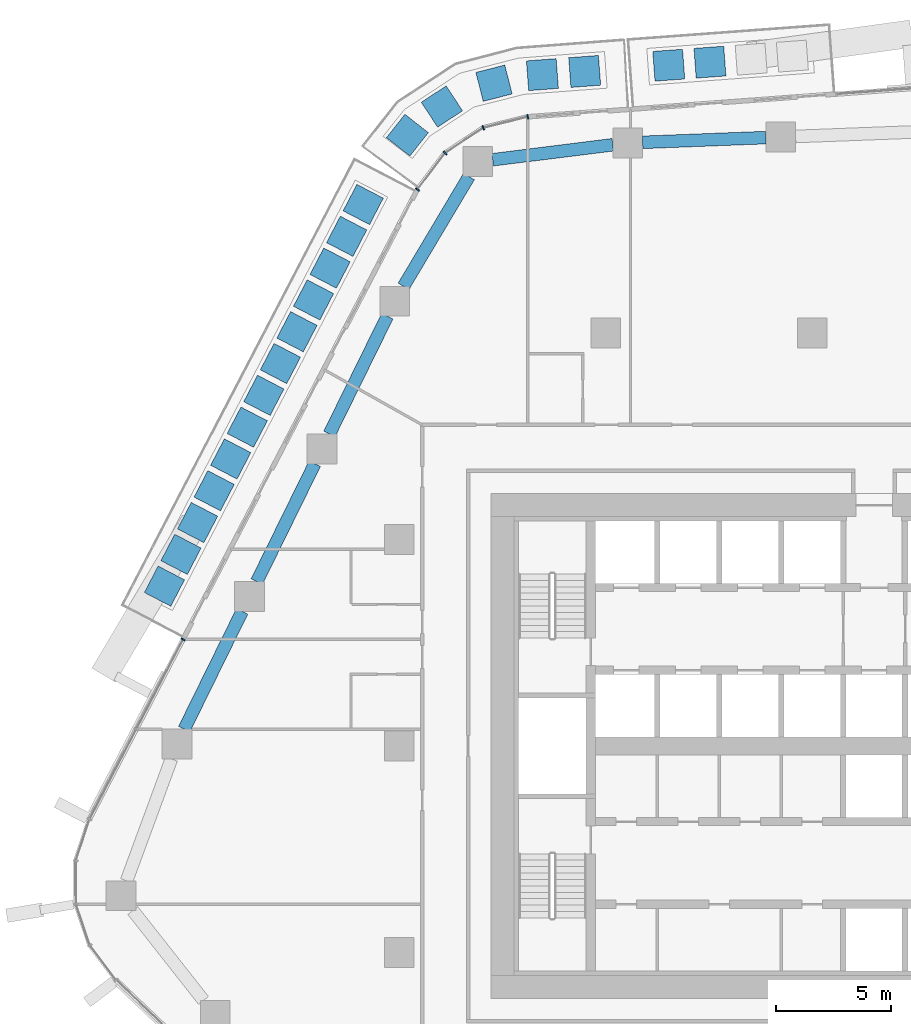
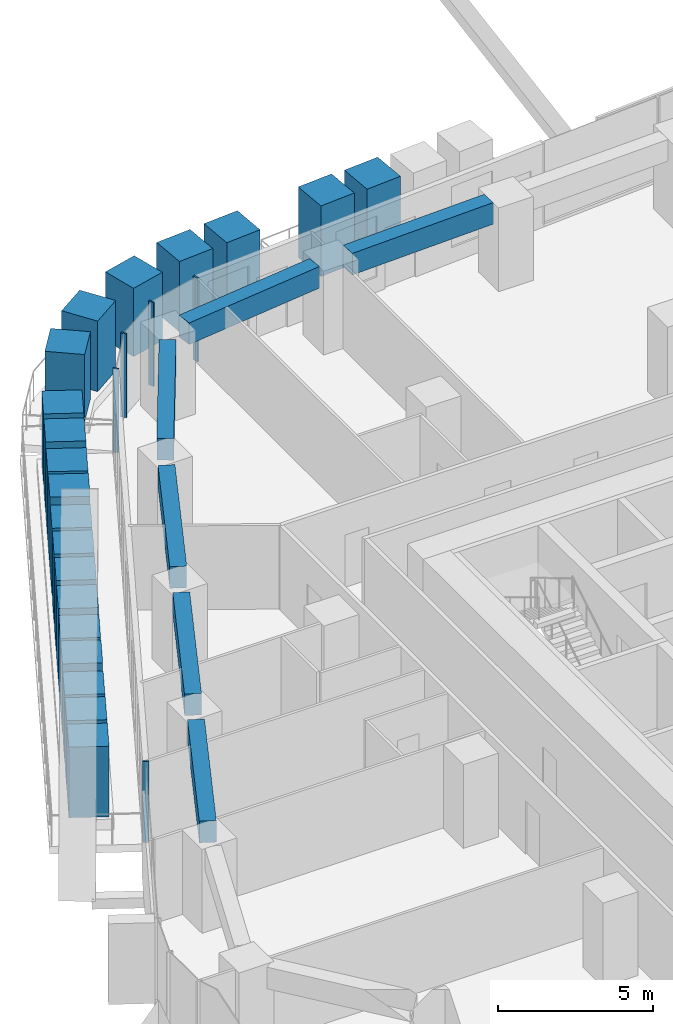
# One storey, part 6 of 24: 25 members, 6 beams, 2 elements without a shape of their own.
"""IFC4 building model written with IfcOpenShell, lengths in metres."""

from ifc_helpers import new_model, si_unit, direction, frame, origin, origin_2d, place, context, subcontext, project, spatial, rectangle, extrude, material, layer, layer_set, material_profile, profile_set, type_object, element, aggregate, save


model = new_model("IFC4")

# Units and contexts
model_context = context("Model", 3, precision=1e-05, world=origin(), true_north=direction((0.0, 1.0)))
body_context = subcontext(model_context, "Body", "Model", "MODEL_VIEW")
ifc_project = project(units=[si_unit("LENGTHUNIT", "METRE"), si_unit("AREAUNIT", "SQUARE_METRE"), si_unit("VOLUMEUNIT", "CUBIC_METRE"), si_unit("PLANEANGLEUNIT", "RADIAN"), si_unit("MASSUNIT", "GRAM", prefix="KILO")], contexts=[model_context])

# Site, building, storey
site_placement = place(None, origin())
site = spatial("IfcSite", under=ifc_project, at=site_placement, CompositionType="ELEMENT")
building_placement = place(site_placement, origin())
building = spatial("IfcBuilding", under=site, at=building_placement, Name="Dongbaek Canopy Tower", CompositionType="ELEMENT")
storey_placement = place(building_placement, frame((0.0, 0.0, 128.5)))
storey = spatial("IfcBuildingStorey", under=building, at=storey_placement, Name="L28", CompositionType="ELEMENT", Elevation=128.5)

# Curtain wall, members
ifc_material_1 = material(Name="Aluminium 6063-T6 pale anodised", Category="aluminium")
ifc_layer = layer(ifc_material_1, 0.199951171875)
ifc_layer_set = layer_set([ifc_layer], Name="CW-1 unitised tower curtain wall")
curtain_wall_type = type_object("IfcCurtainWallType", Name="CW-1 unitised tower curtain wall", PredefinedType="NOTDEFINED", material=ifc_layer_set)
curtain_wall_1_placement = place(storey_placement, origin())
curtain_wall_1 = element("IfcCurtainWall", 1, at=curtain_wall_1_placement, inside=storey, type_object=curtain_wall_type, Name="CW-1 curtain wall K2.1", PredefinedType="NOTDEFINED")
ifc_material_2 = material(Name="Aluminium 6063-T6 pale anodised", Category="aluminium")
ifc_material_profile_1 = material_profile(ifc_material_2, rectangle(XDim=0.199951171875, YDim=0.06005859375, at=origin_2d()), Name="CW-1 mullion 60 x 200")
ifc_profile_set_1 = profile_set([ifc_material_profile_1], Name="Aluminium 6063-T6 pale anodised")
member_type_1 = type_object("IfcMemberType", Name="CW-1 mullion 60 x 200", PredefinedType="MULLION", material=ifc_profile_set_1)
member_1_placement = place(storey_placement, frame((-12.398681640625, 27.426513671875, 0.0), z_axis=(0.0, 0.0, 1.0), x_axis=(-0.240708808634, 0.970597377622, 0.0)))
member_1 = element("IfcMember", 2, at=member_1_placement, type_object=member_type_1, Name="CW-1 mullion K2.1.1", PredefinedType="MULLION", context=body_context, shape_type="SweptSolid", body=[
    extrude(rectangle(XDim=0.199951171875, YDim=0.06005859375, at=origin_2d()), origin(), (0.0, 0.0, 1.0), 3.300048828125),
])
member_2_placement = place(storey_placement, frame((-14.338623046875, 26.945556640625, 0.0), z_axis=(0.0, 0.0, 1.0), x_axis=(-0.400998527183, 0.916078698146, 0.0)))
member_2 = element("IfcMember", 3, at=member_2_placement, type_object=member_type_1, Name="CW-1 mullion K2.1.2", PredefinedType="MULLION", context=body_context, shape_type="SweptSolid", body=[
    extrude(rectangle(XDim=0.199951171875, YDim=0.06005859375, at=origin_2d()), origin(), (0.0, 0.0, 1.0), 3.300048828125),
])
member_3_placement = place(storey_placement, frame((-16.0009765625, 25.851318359375, 0.0), z_axis=(0.0, 0.0, 1.0), x_axis=(-0.682828776923, 0.730578443021, 0.0)))
member_3 = element("IfcMember", 4, at=member_3_placement, type_object=member_type_1, Name="CW-1 mullion K2.1.3", PredefinedType="MULLION", context=body_context, shape_type="SweptSolid", body=[
    extrude(rectangle(XDim=0.199951171875, YDim=0.06005859375, at=origin_2d()), origin(), (0.0, 0.0, 1.0), 3.300048828125),
])
member_4_placement = place(storey_placement, frame((-17.210205078125, 24.259765625, 0.0), z_axis=(0.0, 0.0, 1.0), x_axis=(-0.796290621364, 0.604914247086, 0.0)))
member_4 = element("IfcMember", 5, at=member_4_placement, type_object=member_type_1, Name="CW-1 mullion K2.1.4", PredefinedType="MULLION", context=body_context, shape_type="SweptSolid", body=[
    extrude(rectangle(XDim=0.199951171875, YDim=0.06005859375, at=origin_2d()), origin(), (0.0, 0.0, 1.0), 3.300048828125),
])
aggregate(curtain_wall_1, [member_1, member_2, member_3, member_4])

# Curtain wall, member
curtain_wall_2_placement = place(storey_placement, origin())
curtain_wall_2 = element("IfcCurtainWall", 6, at=curtain_wall_2_placement, inside=storey, type_object=curtain_wall_type, Name="CW-1 curtain wall F2.1", PredefinedType="NOTDEFINED")
member_5_placement = place(storey_placement, frame((-27.42431640625, 4.64697265625, 0.1201171875), z_axis=(0.0, 0.0, 1.0), x_axis=(-0.886926731215, 0.461910135693, 0.0)))
member_5 = element("IfcMember", 7, at=member_5_placement, type_object=member_type_1, Name="CW-1 mullion F2.1.1", PredefinedType="MULLION", context=body_context, shape_type="SweptSolid", body=[
    extrude(rectangle(XDim=0.199951171875, YDim=0.06005859375, at=origin_2d()), origin(), (0.0, 0.0, 1.0), 3.179931640625),
])
aggregate(curtain_wall_2, [member_5])

# Beams
ifc_material_3 = material(Name="Concrete C80", Category="concrete")
ifc_material_profile_2 = material_profile(ifc_material_3, rectangle(XDim=0.550048828125, YDim=0.85009765625, at=origin_2d()), Name="RC EDGE BEAM 550x850 C80")
ifc_profile_set_2 = profile_set([ifc_material_profile_2], Name="Concrete C80")
beam_type = type_object("IfcBeamType", Name="RC EDGE BEAM 550x850 C80", PredefinedType="BEAM", material=ifc_profile_set_2)
beam_1_placement = place(storey_placement, frame((-27.373291015625, 0.73291015625, 2.875), z_axis=(0.441213203353, 0.89740231178, 0.0), x_axis=(-0.89740231178, 0.441213203353, 0.0)))
element("IfcBeam", 8, at=beam_1_placement, inside=storey, type_object=beam_type, Name="EDGEBEAM:L28:09", PredefinedType="BEAM", context=body_context, shape_type="SweptSolid", body=[
    extrude(rectangle(XDim=0.550048828125, YDim=0.85009765625, at=origin_2d()), origin(), (0.0, 0.0, 1.0), 5.72216796875),
])
beam_2_placement = place(storey_placement, frame((-24.209228515625, 7.16796875, 2.875), z_axis=(0.441418224378, 0.897301482885, 0.0), x_axis=(-0.897301482885, 0.441418224378, 0.0)))
element("IfcBeam", 9, at=beam_2_placement, inside=storey, type_object=beam_type, Name="EDGEBEAM:L28:10", PredefinedType="BEAM", context=body_context, shape_type="SweptSolid", body=[
    extrude(rectangle(XDim=0.550048828125, YDim=0.85009765625, at=origin_2d()), origin(), (0.0, 0.0, 1.0), 5.7216796875),
])
beam_3_placement = place(storey_placement, frame((-21.044189453125, 13.60205078125, 2.875), z_axis=(0.441383867887, 0.89731838339, 0.0), x_axis=(-0.89731838339, 0.441383867887, 0.0)))
element("IfcBeam", 10, at=beam_3_placement, inside=storey, type_object=beam_type, Name="EDGEBEAM:L28:11", PredefinedType="BEAM", context=body_context, shape_type="SweptSolid", body=[
    extrude(rectangle(XDim=0.550048828125, YDim=0.85009765625, at=origin_2d()), origin(), (0.0, 0.0, 1.0), 5.721435546875),
])
beam_4_placement = place(storey_placement, frame((-17.81201171875, 20.035888671875, 2.875), z_axis=(0.511514682827, 0.859274536602, 0.0), x_axis=(-0.859274536602, 0.511514682827, 0.0)))
element("IfcBeam", 11, at=beam_4_placement, inside=storey, type_object=beam_type, Name="EDGEBEAM:L28:12", PredefinedType="BEAM", context=body_context, shape_type="SweptSolid", body=[
    extrude(rectangle(XDim=0.550048828125, YDim=0.85009765625, at=origin_2d()), origin(), (0.0, 0.0, 1.0), 5.570068359375),
])
beam_5_placement = place(storey_placement, frame((-13.926025390625, 25.55322265625, 2.875), z_axis=(0.992297087152, 0.123880954265, 0.0), x_axis=(-0.123880954265, 0.992297087152, 0.0)))
element("IfcBeam", 12, at=beam_5_placement, inside=storey, type_object=beam_type, Name="EDGEBEAM:L28:13", PredefinedType="BEAM", context=body_context, shape_type="SweptSolid", body=[
    extrude(rectangle(XDim=0.550048828125, YDim=0.85009765625, at=origin_2d()), origin(), (0.0, 0.0, 1.0), 5.275634765625),
])
beam_6_placement = place(storey_placement, frame((-7.39111328125, 26.31298828125, 2.875), z_axis=(0.999264392696, 0.038349361015, 0.0), x_axis=(-0.038349361015, 0.999264392696, 0.0)))
element("IfcBeam", 13, at=beam_6_placement, inside=storey, type_object=beam_type, Name="EDGEBEAM:L28:14", PredefinedType="BEAM", context=body_context, shape_type="SweptSolid", body=[
    extrude(rectangle(XDim=0.550048828125, YDim=0.85009765625, at=origin_2d()), origin(), (0.0, 0.0, 1.0), 5.373046875),
])

# Members
ifc_material_4 = material(Name="Concrete C40/50 planter mass with planting", Category="concrete")
ifc_material_profile_3 = material_profile(ifc_material_4, rectangle(XDim=1.300048828125, YDim=1.300048828125, at=origin_2d()), Name="Terrace PLANTER shrub mass 1300 x 1300")
ifc_profile_set_3 = profile_set([ifc_material_profile_3], Name="Concrete C40/50 planter mass with planting")
member_type_2 = type_object("IfcMemberType", Name="Terrace PLANTER shrub mass 1300 x 1300", PredefinedType="USERDEFINED", material=ifc_profile_set_3)
member_6_placement = place(storey_placement, frame((-4.455810546875, 29.806884765625, 0.419921875), z_axis=(0.0, 0.0, 1.0), x_axis=(-0.073519152761, 0.997293805344, 0.0)))
element("IfcMember", 14, at=member_6_placement, inside=storey, type_object=member_type_2, Name="Planter shrubs L28 1.3", ObjectType="PLANTER", PredefinedType="USERDEFINED", context=body_context, shape_type="SweptSolid", body=[
    extrude(rectangle(XDim=1.300048828125, YDim=1.300048828125, at=origin_2d()), origin(), (0.0, 0.0, 1.0), 2.72998046875),
])
for number, where, z_axis, x_axis, name in (
    (15, (-6.252197265625, 29.674560546875, 0.419921875), (0.0, 0.0, 1.0), (-0.073519152761, 0.997293805344, 0.0), "Planter shrubs L28 1.4"),
    (16, (-9.916748046875, 29.40283203125, 0.419921875), (0.0, 0.0, 1.0), (-0.075155999946, 0.997171788446, 0.0), "Planter shrubs L28 6.1"),
):
    element("IfcMember", number, at=place(storey_placement, frame(where, z_axis=z_axis, x_axis=x_axis)), inside=storey, type_object=member_type_2, Name=name, ObjectType="PLANTER", PredefinedType="USERDEFINED", context=body_context, shape_type="SweptSolid", body=[
        extrude(rectangle(XDim=1.300048828125, YDim=1.300048828125, at=origin_2d()), origin(), (0.0, 0.0, 1.0), 2.780029296875),
    ])
member_7_placement = place(storey_placement, frame((-11.759521484375, 29.263916015625, 0.419921875), z_axis=(0.0, 0.0, 1.0), x_axis=(-0.075155999946, 0.997171788446, 0.0)))
element("IfcMember", 17, at=member_7_placement, inside=storey, type_object=member_type_2, Name="Planter shrubs L28 6.2", ObjectType="PLANTER", PredefinedType="USERDEFINED", context=body_context, shape_type="SweptSolid", body=[
    extrude(rectangle(XDim=1.300048828125, YDim=1.300048828125, at=origin_2d()), origin(), (0.0, 0.0, 1.0), 2.77001953125),
])
member_8_placement = place(storey_placement, frame((-13.868896484375, 28.890625, 0.419921875), z_axis=(0.0, 0.0, 1.0), x_axis=(-0.247887054408, 0.968788938963, 0.0)))
element("IfcMember", 18, at=member_8_placement, inside=storey, type_object=member_type_2, Name="Planter shrubs L28 6.3", ObjectType="PLANTER", PredefinedType="USERDEFINED", context=body_context, shape_type="SweptSolid", body=[
    extrude(rectangle(XDim=1.300048828125, YDim=1.300048828125, at=origin_2d()), origin(), (0.0, 0.0, 1.0), 2.690185546875),
])
member_9_placement = place(storey_placement, frame((-16.140625, 27.873291015625, 0.419921875), z_axis=(0.0, 0.0, 1.0), x_axis=(-0.549793590756, 0.835300549242, 0.0)))
element("IfcMember", 19, at=member_9_placement, inside=storey, type_object=member_type_2, Name="Planter shrubs L28 6.4", ObjectType="PLANTER", PredefinedType="USERDEFINED", context=body_context, shape_type="SweptSolid", body=[
    extrude(rectangle(XDim=1.300048828125, YDim=1.300048828125, at=origin_2d()), origin(), (0.0, 0.0, 1.0), 2.780029296875),
])
member_10_placement = place(storey_placement, frame((-17.64501953125, 26.626220703125, 0.419921875), z_axis=(0.0, 0.0, 1.0), x_axis=(-0.785388328656, 0.619003370921, 0.0)))
element("IfcMember", 20, at=member_10_placement, inside=storey, type_object=member_type_2, Name="Planter shrubs L28 6.5", ObjectType="PLANTER", PredefinedType="USERDEFINED", context=body_context, shape_type="SweptSolid", body=[
    extrude(rectangle(XDim=1.300048828125, YDim=1.300048828125, at=origin_2d()), origin(), (0.0, 0.0, 1.0), 2.650146484375),
])
member_11_placement = place(storey_placement, frame((-19.570556640625, 23.6025390625, 0.419921875), z_axis=(0.0, 0.0, 1.0), x_axis=(-0.886926731215, 0.461910135693, 0.0)))
element("IfcMember", 21, at=member_11_placement, inside=storey, type_object=member_type_2, Name="Planter shrubs L28 2.1", ObjectType="PLANTER", PredefinedType="USERDEFINED", context=body_context, shape_type="SweptSolid", body=[
    extrude(rectangle(XDim=1.300048828125, YDim=1.300048828125, at=origin_2d()), origin(), (0.0, 0.0, 1.0), 2.780029296875),
])
member_12_placement = place(storey_placement, frame((-20.292724609375, 22.216064453125, 0.419921875), z_axis=(0.0, 0.0, 1.0), x_axis=(-0.886926731215, 0.461910135693, 0.0)))
element("IfcMember", 22, at=member_12_placement, inside=storey, type_object=member_type_2, Name="Planter shrubs L28 2.2", ObjectType="PLANTER", PredefinedType="USERDEFINED", context=body_context, shape_type="SweptSolid", body=[
    extrude(rectangle(XDim=1.300048828125, YDim=1.300048828125, at=origin_2d()), origin(), (0.0, 0.0, 1.0), 2.77001953125),
])
member_13_placement = place(storey_placement, frame((-21.0146484375, 20.82958984375, 0.419921875), z_axis=(0.0, 0.0, 1.0), x_axis=(-0.886926731215, 0.461910135693, 0.0)))
element("IfcMember", 23, at=member_13_placement, inside=storey, type_object=member_type_2, Name="Planter shrubs L28 2.3", ObjectType="PLANTER", PredefinedType="USERDEFINED", context=body_context, shape_type="SweptSolid", body=[
    extrude(rectangle(XDim=1.300048828125, YDim=1.300048828125, at=origin_2d()), origin(), (0.0, 0.0, 1.0), 2.690185546875),
])
member_14_placement = place(storey_placement, frame((-21.73681640625, 19.443359375, 0.419921875), z_axis=(0.0, 0.0, 1.0), x_axis=(-0.886926731215, 0.461910135693, 0.0)))
element("IfcMember", 24, at=member_14_placement, inside=storey, type_object=member_type_2, Name="Planter shrubs L28 2.4", ObjectType="PLANTER", PredefinedType="USERDEFINED", context=body_context, shape_type="SweptSolid", body=[
    extrude(rectangle(XDim=1.300048828125, YDim=1.300048828125, at=origin_2d()), origin(), (0.0, 0.0, 1.0), 2.780029296875),
])
member_15_placement = place(storey_placement, frame((-22.458740234375, 18.056884765625, 0.419921875), z_axis=(0.0, 0.0, 1.0), x_axis=(-0.886926731215, 0.461910135693, 0.0)))
element("IfcMember", 25, at=member_15_placement, inside=storey, type_object=member_type_2, Name="Planter shrubs L28 2.5", ObjectType="PLANTER", PredefinedType="USERDEFINED", context=body_context, shape_type="SweptSolid", body=[
    extrude(rectangle(XDim=1.300048828125, YDim=1.300048828125, at=origin_2d()), origin(), (0.0, 0.0, 1.0), 2.650146484375),
])
member_16_placement = place(storey_placement, frame((-23.180908203125, 16.67041015625, 0.419921875), z_axis=(0.0, 0.0, 1.0), x_axis=(-0.886926731215, 0.461910135693, 0.0)))
element("IfcMember", 26, at=member_16_placement, inside=storey, type_object=member_type_2, Name="Planter shrubs L28 2.6", ObjectType="PLANTER", PredefinedType="USERDEFINED", context=body_context, shape_type="SweptSolid", body=[
    extrude(rectangle(XDim=1.300048828125, YDim=1.300048828125, at=origin_2d()), origin(), (0.0, 0.0, 1.0), 2.72998046875),
])
member_17_placement = place(storey_placement, frame((-23.90283203125, 15.283935546875, 0.419921875), z_axis=(0.0, 0.0, 1.0), x_axis=(-0.886926731215, 0.461910135693, 0.0)))
element("IfcMember", 27, at=member_17_placement, inside=storey, type_object=member_type_2, Name="Planter shrubs L28 2.7", ObjectType="PLANTER", PredefinedType="USERDEFINED", context=body_context, shape_type="SweptSolid", body=[
    extrude(rectangle(XDim=1.300048828125, YDim=1.300048828125, at=origin_2d()), origin(), (0.0, 0.0, 1.0), 2.780029296875),
])
member_18_placement = place(storey_placement, frame((-24.625, 13.8974609375, 0.419921875), z_axis=(0.0, 0.0, 1.0), x_axis=(-0.886926731215, 0.461910135693, 0.0)))
element("IfcMember", 28, at=member_18_placement, inside=storey, type_object=member_type_2, Name="Planter shrubs L28 2.8", ObjectType="PLANTER", PredefinedType="USERDEFINED", context=body_context, shape_type="SweptSolid", body=[
    extrude(rectangle(XDim=1.300048828125, YDim=1.300048828125, at=origin_2d()), origin(), (0.0, 0.0, 1.0), 2.77001953125),
])
member_19_placement = place(storey_placement, frame((-25.346923828125, 12.510986328125, 0.419921875), z_axis=(0.0, 0.0, 1.0), x_axis=(-0.886926731215, 0.461910135693, 0.0)))
element("IfcMember", 29, at=member_19_placement, inside=storey, type_object=member_type_2, Name="Planter shrubs L28 2.9", ObjectType="PLANTER", PredefinedType="USERDEFINED", context=body_context, shape_type="SweptSolid", body=[
    extrude(rectangle(XDim=1.300048828125, YDim=1.300048828125, at=origin_2d()), origin(), (0.0, 0.0, 1.0), 2.690185546875),
])
member_20_placement = place(storey_placement, frame((-26.069091796875, 11.12451171875, 0.419921875), z_axis=(0.0, 0.0, 1.0), x_axis=(-0.886926731215, 0.461910135693, 0.0)))
element("IfcMember", 30, at=member_20_placement, inside=storey, type_object=member_type_2, Name="Planter shrubs L28 2.10", ObjectType="PLANTER", PredefinedType="USERDEFINED", context=body_context, shape_type="SweptSolid", body=[
    extrude(rectangle(XDim=1.300048828125, YDim=1.300048828125, at=origin_2d()), origin(), (0.0, 0.0, 1.0), 2.780029296875),
])
member_21_placement = place(storey_placement, frame((-26.791015625, 9.73828125, 0.419921875), z_axis=(0.0, 0.0, 1.0), x_axis=(-0.886926731215, 0.461910135693, 0.0)))
element("IfcMember", 31, at=member_21_placement, inside=storey, type_object=member_type_2, Name="Planter shrubs L28 2.11", ObjectType="PLANTER", PredefinedType="USERDEFINED", context=body_context, shape_type="SweptSolid", body=[
    extrude(rectangle(XDim=1.300048828125, YDim=1.300048828125, at=origin_2d()), origin(), (0.0, 0.0, 1.0), 2.650146484375),
])
member_22_placement = place(storey_placement, frame((-27.51318359375, 8.351806640625, 0.419921875), z_axis=(0.0, 0.0, 1.0), x_axis=(-0.886926731215, 0.461910135693, 0.0)))
element("IfcMember", 32, at=member_22_placement, inside=storey, type_object=member_type_2, Name="Planter shrubs L28 2.12", ObjectType="PLANTER", PredefinedType="USERDEFINED", context=body_context, shape_type="SweptSolid", body=[
    extrude(rectangle(XDim=1.300048828125, YDim=1.300048828125, at=origin_2d()), origin(), (0.0, 0.0, 1.0), 2.72998046875),
])
member_23_placement = place(storey_placement, frame((-28.235107421875, 6.96533203125, 0.419921875), z_axis=(0.0, 0.0, 1.0), x_axis=(-0.886926731215, 0.461910135693, 0.0)))
element("IfcMember", 33, at=member_23_placement, inside=storey, type_object=member_type_2, Name="Planter shrubs L28 2.13", ObjectType="PLANTER", PredefinedType="USERDEFINED", context=body_context, shape_type="SweptSolid", body=[
    extrude(rectangle(XDim=1.300048828125, YDim=1.300048828125, at=origin_2d()), origin(), (0.0, 0.0, 1.0), 2.780029296875),
])

save(model, "model.ifc")
